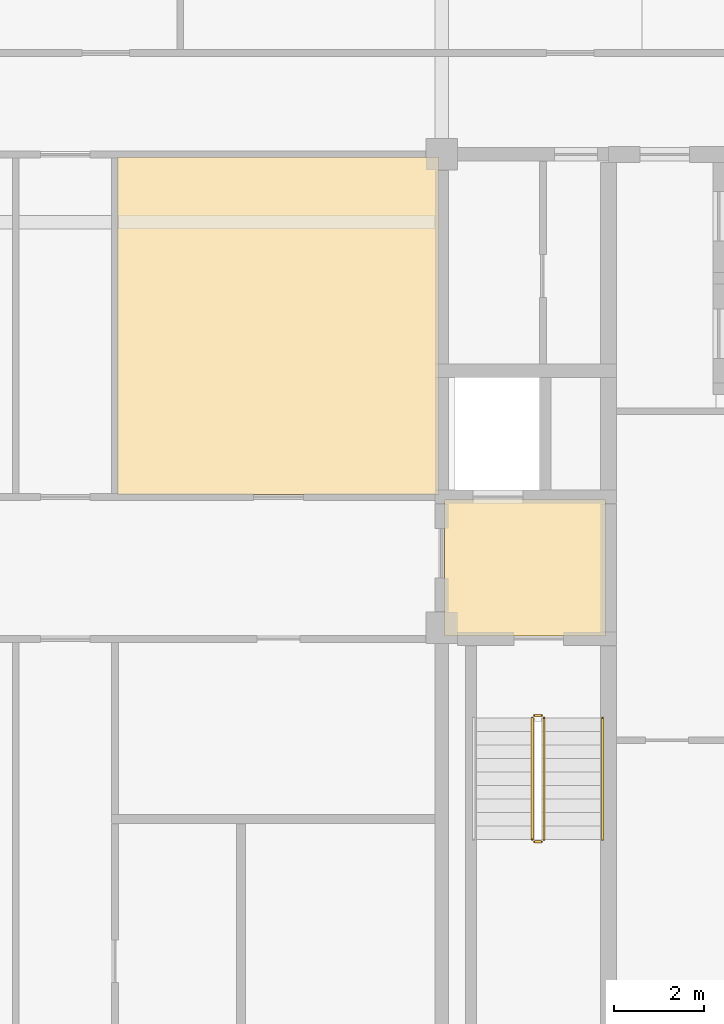
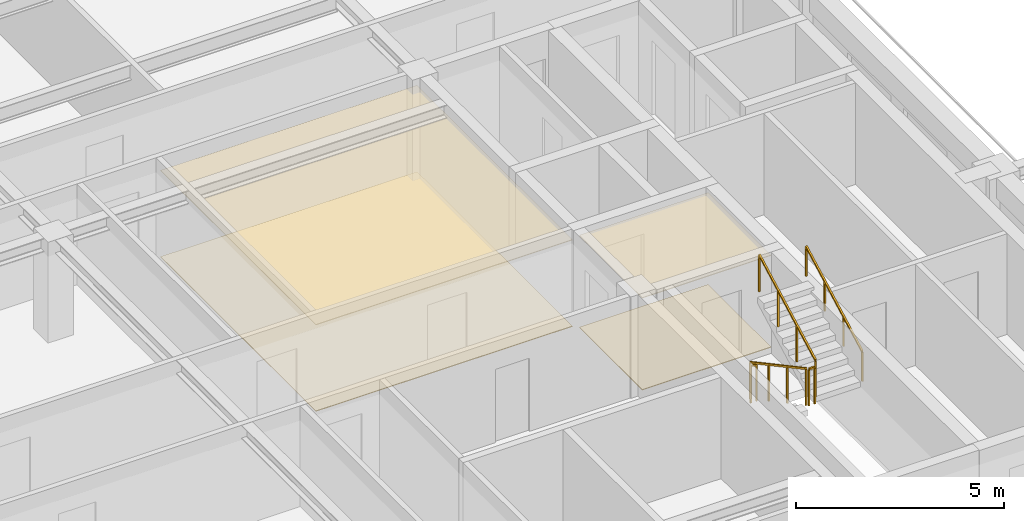
# One storey, part 10 of 11: 5 railings, 4 coverings.
"""IFC4 building model written with IfcOpenShell, lengths in metres."""

from ifc_helpers import new_model, si_unit, direction, frame, origin, origin_2d, place, context, subcontext, project, spatial, polyline, rectangle, outline, extrude, material, layer, layer_set, type_object, element, save


model = new_model("IFC4")

# Units and contexts
model_context = context("Model", 3, precision=1e-05, world=origin(), true_north=direction((0.0, 1.0)))
body_context = subcontext(model_context, "Body", "Model", "MODEL_VIEW")
ifc_project = project(units=[si_unit("LENGTHUNIT", "METRE"), si_unit("AREAUNIT", "SQUARE_METRE"), si_unit("VOLUMEUNIT", "CUBIC_METRE"), si_unit("PLANEANGLEUNIT", "RADIAN"), si_unit("MASSUNIT", "GRAM", prefix="KILO")], contexts=[model_context])

# Site, building, storey
site_placement = place(None, origin())
site = spatial("IfcSite", under=ifc_project, at=site_placement, CompositionType="ELEMENT")
building_placement = place(site_placement, origin())
building = spatial("IfcBuilding", under=site, at=building_placement, Name="Zulmaris Gate Convention Tower", CompositionType="ELEMENT")
storey_placement = place(building_placement, frame((0.0, 0.0, 257.659912109375)))
storey = spatial("IfcBuildingStorey", under=building, at=storey_placement, Name="L68", CompositionType="ELEMENT", Elevation=257.659912109375)

# Coverings
ifc_material_1 = material(Name="Mineral Fibre Acoustic Ceiling Tile")
ifc_layer_1 = layer(ifc_material_1, 0.02001953125, Name="Mineral Fibre Acoustic Ceiling Tile")
ifc_layer_set_1 = layer_set([ifc_layer_1], Name="Mineral Fibre Acoustic Ceiling Tile")
covering_type_1 = type_object("IfcCoveringType", Name="CLG-ACOUSTIC-600", PredefinedType="CEILING", material=ifc_layer_set_1)
covering_1_placement = place(storey_placement, frame((0.0, 0.0, 2.699951171875)))
element("IfcCovering", 1, at=covering_1_placement, inside=storey, type_object=covering_type_1, Name="CLG-L68-R08", PredefinedType="CEILING", context=body_context, shape_type="SweptSolid", body=[
    extrude(outline(polyline([(11.06005859375, -0.18994140625), (14.639892578125, -0.18994140625), (14.639892578125, 2.840087890625), (11.06005859375, 2.840087890625), (11.06005859375, -0.18994140625)])), origin(), (0.0, 0.0, 1.0), 0.02001953125),
])
covering_2_placement = place(storey_placement, frame((0.0, 0.0, 2.5380859375)))
element("IfcCovering", 2, at=covering_2_placement, inside=storey, type_object=covering_type_1, Name="CLG-L68-R43", PredefinedType="CEILING", context=body_context, shape_type="SweptSolid", body=[
    extrude(outline(polyline([(3.81005859375, 2.9599609375), (10.93994140625, 2.9599609375), (10.93994140625, 10.43994140625), (3.81005859375, 10.43994140625), (3.81005859375, 2.9599609375)])), origin(), (0.0, 0.0, 1.0), 0.02001953125),
])
ifc_material_2 = material(Name="Woven Acoustic Wool Carpet Tile")
ifc_layer_2 = layer(ifc_material_2, 0.02001953125, Name="Woven Acoustic Wool Carpet Tile")
ifc_layer_set_2 = layer_set([ifc_layer_2], Name="Woven Acoustic Wool Carpet Tile")
covering_type_2 = type_object("IfcCoveringType", Name="FLR-CARPET-12", PredefinedType="FLOORING", material=ifc_layer_set_2)
covering_3_placement = place(storey_placement, origin())
element("IfcCovering", 3, at=covering_3_placement, inside=storey, type_object=covering_type_2, Name="FLR-L68-R08", PredefinedType="FLOORING", context=body_context, shape_type="SweptSolid", body=[
    extrude(outline(polyline([(11.06005859375, -0.18994140625), (14.639892578125, -0.18994140625), (14.639892578125, 2.840087890625), (11.06005859375, 2.840087890625), (11.06005859375, -0.18994140625)])), origin(), (0.0, 0.0, 1.0), 0.02001953125),
])
covering_4_placement = place(storey_placement, origin())
element("IfcCovering", 4, at=covering_4_placement, inside=storey, type_object=covering_type_2, Name="FLR-L68-R43", PredefinedType="FLOORING", context=body_context, shape_type="SweptSolid", body=[
    extrude(outline(polyline([(3.81005859375, 2.9599609375), (10.93994140625, 2.9599609375), (10.93994140625, 10.43994140625), (3.81005859375, 10.43994140625), (3.81005859375, 2.9599609375)])), origin(), (0.0, 0.0, 1.0), 0.02001953125),
])

# Railings
ifc_material_3 = material(Name="Painted Galvanised Steel", Category="steel")
railing_type_1 = type_object("IfcRailingType", Name="RL-STG-1150", PredefinedType="GUARDRAIL", material=ifc_material_3)
railing_1_placement = place(storey_placement, frame((13.010009765625, -2.0, 0.161376953125)))
element("IfcRailing", 5, at=railing_1_placement, inside=storey, type_object=railing_type_1, Name="L68 ST-2 stair guard 1", PredefinedType="GUARDRAIL", context=body_context, shape_type="SweptSolid", body=[
    extrude(rectangle(XDim=0.048095703125, YDim=0.048095703125, at=origin_2d()), frame((0.0, 0.0, 1.076171875), z_axis=(0.0, -0.880499220447, 0.474047595492), x_axis=(1.0, 0.0, 0.0)), (0.0, 0.0, 1.0), 3.06640625),
    extrude(rectangle(XDim=0.0419921875, YDim=0.0419921875, at=origin_2d()), origin(), (0.0, 0.0, 1.0), 1.052001953125),
    extrude(rectangle(XDim=0.0419921875, YDim=0.0419921875, at=origin_2d()), frame((0.0, -0.89990234375, 0.484619140625)), (0.0, 0.0, 1.0), 1.052001953125),
    extrude(rectangle(XDim=0.0419921875, YDim=0.0419921875, at=origin_2d()), frame((0.0, -1.800048828125, 0.968994140625)), (0.0, 0.0, 1.0), 1.052001953125),
    extrude(rectangle(XDim=0.0419921875, YDim=0.0419921875, at=origin_2d()), frame((0.0, -2.699951171875, 1.45361328125)), (0.0, 0.0, 1.0), 1.052001953125),
])
railing_2_placement = place(storey_placement, frame((13.06005859375, -4.75, 1.614990234375)))
element("IfcRailing", 6, at=railing_2_placement, inside=storey, type_object=railing_type_1, Name="L68 ST-2 stair guard 2", PredefinedType="GUARDRAIL", context=body_context, shape_type="SweptSolid", body=[
    extrude(rectangle(XDim=0.048095703125, YDim=0.048095703125, at=origin_2d()), frame((0.0, 0.0, 1.076171875), z_axis=(1.0, 0.0, 0.0), x_axis=(0.0, 1.0, 0.0)), (0.0, 0.0, 1.0), 0.159912109375),
    extrude(rectangle(XDim=0.0419921875, YDim=0.0419921875, at=origin_2d()), origin(), (0.0, 0.0, 1.0), 1.052001953125),
    extrude(rectangle(XDim=0.0419921875, YDim=0.0419921875, at=origin_2d()), frame((0.159912109375, 0.0, 0.0)), (0.0, 0.0, 1.0), 1.052001953125),
])
railing_3_placement = place(storey_placement, frame((13.27001953125, -4.699951171875, 1.7763671875)))
element("IfcRailing", 7, at=railing_3_placement, inside=storey, type_object=railing_type_1, Name="L68 ST-2 stair guard 3", PredefinedType="GUARDRAIL", context=body_context, shape_type="SweptSolid", body=[
    extrude(rectangle(XDim=0.048095703125, YDim=0.048095703125, at=origin_2d()), frame((0.0, 0.0, 1.076171875), z_axis=(0.0, 0.880499220447, 0.474047595492), x_axis=(-1.0, 0.0, 0.0)), (0.0, 0.0, 1.0), 3.06640625),
    extrude(rectangle(XDim=0.0419921875, YDim=0.0419921875, at=origin_2d()), origin(), (0.0, 0.0, 1.0), 1.052001953125),
    extrude(rectangle(XDim=0.0419921875, YDim=0.0419921875, at=origin_2d()), frame((0.0, 0.89990234375, 0.484619140625)), (0.0, 0.0, 1.0), 1.052001953125),
    extrude(rectangle(XDim=0.0419921875, YDim=0.0419921875, at=origin_2d()), frame((0.0, 1.800048828125, 0.968994140625)), (0.0, 0.0, 1.0), 1.052001953125),
    extrude(rectangle(XDim=0.0419921875, YDim=0.0419921875, at=origin_2d()), frame((0.0, 2.699951171875, 1.45361328125)), (0.0, 0.0, 1.0), 1.052001953125),
])
railing_4_placement = place(storey_placement, frame((13.06005859375, -1.949951171875, 0.0)))
element("IfcRailing", 8, at=railing_4_placement, inside=storey, type_object=railing_type_1, Name="L68 ST-2 stair guard 4", PredefinedType="GUARDRAIL", context=body_context, shape_type="SweptSolid", body=[
    extrude(rectangle(XDim=0.048095703125, YDim=0.048095703125, at=origin_2d()), frame((0.0, 0.0, 1.076171875), z_axis=(1.0, 0.0, 0.0), x_axis=(0.0, 1.0, 0.0)), (0.0, 0.0, 1.0), 0.159912109375),
    extrude(rectangle(XDim=0.0419921875, YDim=0.0419921875, at=origin_2d()), origin(), (0.0, 0.0, 1.0), 1.052001953125),
    extrude(rectangle(XDim=0.0419921875, YDim=0.0419921875, at=origin_2d()), frame((0.159912109375, 0.0, 0.0)), (0.0, 0.0, 1.0), 1.052001953125),
])
ifc_material_4 = material(Name="Brushed Stainless Steel", Category="steel")
railing_type_2 = type_object("IfcRailingType", Name="RL-STH-900", PredefinedType="HANDRAIL", material=ifc_material_4)
railing_5_placement = place(storey_placement, frame((14.570068359375, -4.699951171875, 1.7763671875)))
element("IfcRailing", 9, at=railing_5_placement, inside=storey, type_object=railing_type_2, Name="L68 ST-2 stair handrail 2", PredefinedType="HANDRAIL", context=body_context, shape_type="SweptSolid", body=[
    extrude(rectangle(XDim=0.048095703125, YDim=0.048095703125, at=origin_2d()), frame((0.0, 0.0, 0.8759765625), z_axis=(0.0, 0.880499220447, 0.474047595492), x_axis=(-1.0, 0.0, 0.0)), (0.0, 0.0, 1.0), 3.06640625),
    extrude(rectangle(XDim=0.0419921875, YDim=0.0419921875, at=origin_2d()), origin(), (0.0, 0.0, 1.0), 0.851806640625),
    extrude(rectangle(XDim=0.0419921875, YDim=0.0419921875, at=origin_2d()), frame((0.0, 0.89990234375, 0.484619140625)), (0.0, 0.0, 1.0), 0.851806640625),
    extrude(rectangle(XDim=0.0419921875, YDim=0.0419921875, at=origin_2d()), frame((0.0, 1.800048828125, 0.968994140625)), (0.0, 0.0, 1.0), 0.851806640625),
    extrude(rectangle(XDim=0.0419921875, YDim=0.0419921875, at=origin_2d()), frame((0.0, 2.699951171875, 1.45361328125)), (0.0, 0.0, 1.0), 0.851806640625),
])

save(model, "model.ifc")
